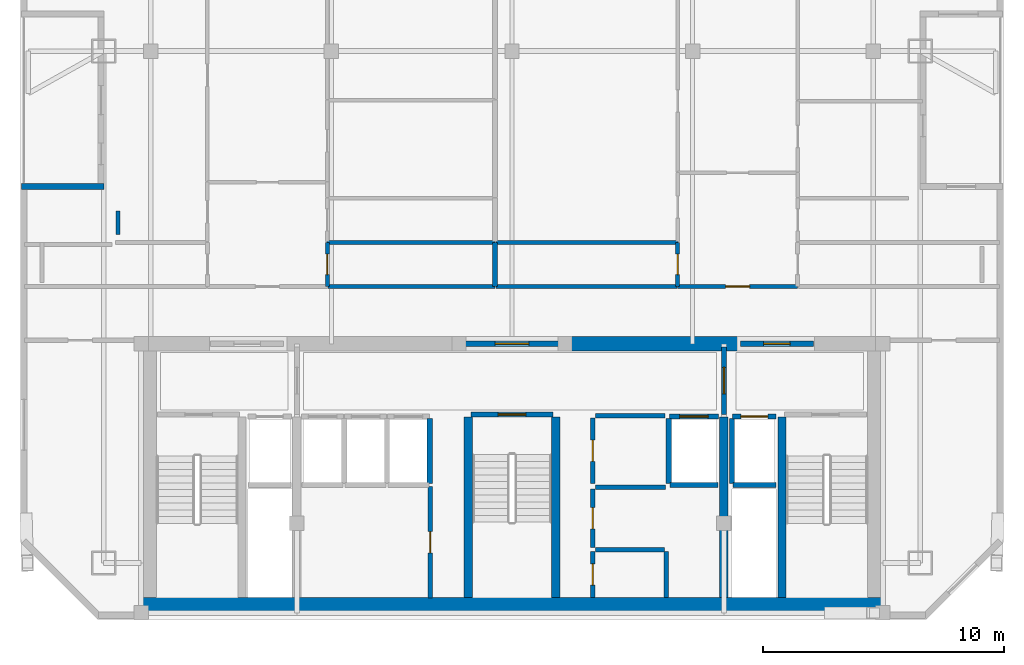
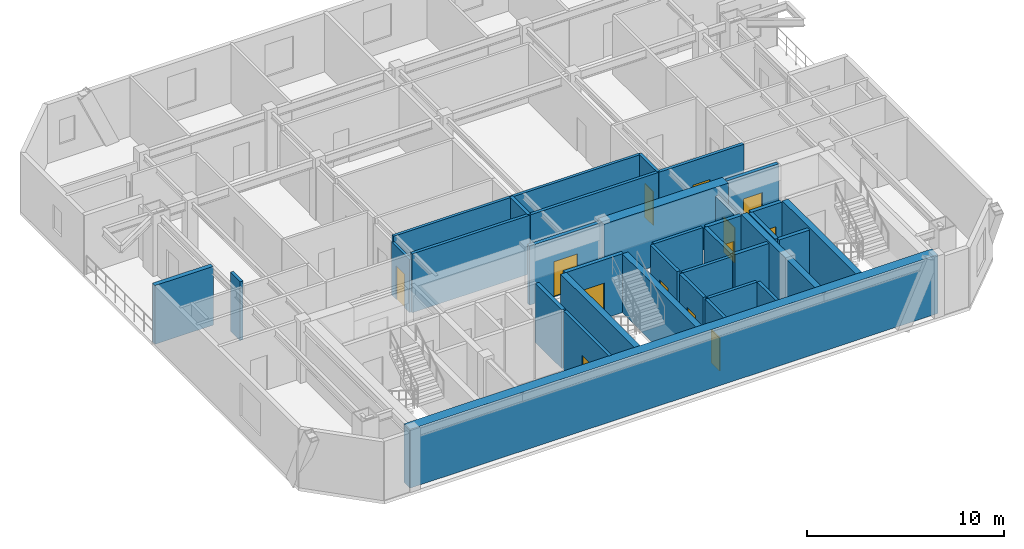
# One storey, part 3 of 7: 35 walls, 13 doors, 13 openings.
"""IFC4 building model written with IfcOpenShell, lengths in metres."""

from ifc_helpers import new_model, si_unit, direction, frame, frame_2d, origin, place, context, subcontext, project, spatial, rectangle, extrude, material, layer, layer_set, type_object, element, fill, save


model = new_model("IFC4")

# Units and contexts
model_context = context("Model", 3, precision=1e-05, world=origin(), true_north=direction((0.0, 1.0)))
body_context = subcontext(model_context, "Body", "Model", "MODEL_VIEW")
ifc_project = project(units=[si_unit("LENGTHUNIT", "METRE"), si_unit("AREAUNIT", "SQUARE_METRE"), si_unit("VOLUMEUNIT", "CUBIC_METRE"), si_unit("PLANEANGLEUNIT", "RADIAN"), si_unit("MASSUNIT", "GRAM", prefix="KILO")], contexts=[model_context])

# Site, building, storey
site_placement = place(None, origin())
site = spatial("IfcSite", under=ifc_project, at=site_placement, CompositionType="ELEMENT")
building_placement = place(site_placement, origin())
building = spatial("IfcBuilding", under=site, at=building_placement, Name="Ventersveld Concourse Tower", CompositionType="ELEMENT")
storey_placement = place(building_placement, frame((0.0, 0.0, 281.050048828125)))
storey = spatial("IfcBuildingStorey", under=building, at=storey_placement, Name="L69", CompositionType="ELEMENT", Elevation=281.050048828125)

# Walls
ifc_material_1 = material(Name="Concrete C50/60", Category="concrete")
ifc_layer_1 = layer(ifc_material_1, 0.35009765625)
ifc_layer_set_1 = layer_set([ifc_layer_1], Name="Concrete C50/60")
wall_type_1 = type_object("IfcWallType", Name="WL-CORE-350U", PredefinedType="SHEAR", material=ifc_layer_set_1)
for number, where, z_axis, x_axis, name in (
    (1, (26.93994140625, 0.919921875, 0.0), (0.0, 0.0, 1.0), (0.0, 1.0, 0.0), "L69 Core Internal Shear Web W-ST3-W"),
    (2, (30.56005859375, 0.919921875, 0.0), (0.0, 0.0, 1.0), (0.0, 1.0, 0.0), "L69 Core Internal Shear Web W-ST3-E"),
    (3, (37.550048828125, 0.919921875, 0.0), (0.0, 0.0, 1.0), (0.0, 1.0, 0.0), "L69 Core Internal Shear Web W-SVL-W"),
    (4, (39.9599609375, 0.919921875, 0.0), (0.0, 0.0, 1.0), (0.0, 1.0, 0.0), "L69 Core Internal Shear Web W-ST2-W"),
):
    element("IfcWall", number, at=place(storey_placement, frame(where, z_axis=z_axis, x_axis=x_axis)), inside=storey, type_object=wall_type_1, Name=name, PredefinedType="SHEAR", context=body_context, shape_type="SweptSolid", body=[
        extrude(rectangle(XDim=7.5, YDim=0.35009765625, at=frame_2d((3.75, 0.0))), origin(), (0.0, 0.0, 1.0), 3.64990234375),
    ])
ifc_layer_2 = layer(ifc_material_1, 0.60009765625)
ifc_layer_set_2 = layer_set([ifc_layer_2], Name="Concrete C50/60")
wall_type_2 = type_object("IfcWallType", Name="WL-CORE-600", PredefinedType="SHEAR", material=ifc_layer_set_2)
wall_1_placement = place(storey_placement, frame((13.25, 0.6201171875, 0.0), z_axis=(0.0, 0.0, 1.0), x_axis=(1.0, 0.0, 0.0)))
element("IfcWall", 5, at=wall_1_placement, inside=storey, type_object=wall_type_2, Name="L69 Rear Core South Shear Wall", PredefinedType="SHEAR", context=body_context, shape_type="SweptSolid", body=[
    extrude(rectangle(XDim=31.0, YDim=0.60009765625, at=frame_2d((15.5, 0.0))), origin(), (0.0, 0.0, 1.0), 3.64990234375),
])
wall_2_placement = place(storey_placement, frame((30.89990234375, 11.449951171875, 0.0), z_axis=(0.0, 0.0, 1.0), x_axis=(1.0, 0.0, 0.0)))
element("IfcWall", 6, at=wall_2_placement, inside=storey, type_object=wall_type_2, Name="L69 Rear Core North Shear Wall NMR", PredefinedType="SHEAR", context=body_context, shape_type="SweptSolid", body=[
    extrude(rectangle(XDim=7.300048828125, YDim=0.60009765625, at=frame_2d((3.64990234375, 0.0))), origin(), (0.0, 0.0, 1.0), 3.64990234375),
])

# Wall, opening, door
ifc_material_2 = material(Name="Fire-rated autoclaved aerated masonry blockwork", Category="masonry")
ifc_layer_3 = layer(ifc_material_2, 0.179931640625)
ifc_layer_set_3 = layer_set([ifc_layer_3], Name="Fire-rated autoclaved aerated masonry blockwork")
wall_type_3 = type_object("IfcWallType", Name="WL-CORR-180", PredefinedType="PARTITIONING", material=ifc_layer_set_3)
wall_3_placement = place(storey_placement, frame((25.35009765625, 0.89990234375, 0.0), z_axis=(0.0, 0.0, 1.0), x_axis=(0.0, 1.0, 0.0)))
wall_3 = element("IfcWall", 7, at=wall_3_placement, inside=storey, type_object=wall_type_3, Name="L69 Core Passage Wall SP-L69-RECB1A", PredefinedType="PARTITIONING", context=body_context, shape_type="SweptSolid", body=[
    extrude(rectangle(XDim=4.6201171875, YDim=0.179931640625, at=frame_2d((2.31005859375, 0.0))), origin(), (0.0, 0.0, 1.0), 3.64990234375),
])
opening_1_placement = place(wall_3_placement, frame((1.8701171875, 0.0, 0.0)))
opening_1 = element("IfcOpeningElement", 8, at=opening_1_placement, cuts=wall_3, Name="Opening FD5", PredefinedType="OPENING", context=body_context, shape_type="SweptSolid", body=[
    extrude(rectangle(XDim=0.8798828125, YDim=2.050048828125, at=frame_2d((0.43994140625, 1.02490234375))), frame((0.0, 0.10009765625, 0.0), z_axis=(0.0, -1.0, 0.0), x_axis=(1.0, 0.0, 0.0)), (0.0, 0.0, 1.0), 0.199951171875),
])
ifc_material_3 = material(Name="Galvanised painted steel", Category="steel")
door_type_1 = type_object("IfcDoorType", Name="DR-RISER-088", OperationType="NOTDEFINED", PredefinedType="DOOR", material=ifc_material_3)
door_1_placement = place(opening_1_placement, origin())
door_1 = element("IfcDoor", 9, at=door_1_placement, inside=storey, type_object=door_type_1, Name="L69 Core Room Door L69 Reclaimed Core Meeting Pod (CD-L69-3220)", OperationType="SINGLE_SWING_LEFT", OverallHeight=2.050048828125, OverallWidth=0.8798828125, PredefinedType="DOOR", context=body_context, shape_type="SweptSolid", body=[
    extrude(rectangle(XDim=0.8798828125, YDim=2.050048828125, at=frame_2d((0.43994140625, 1.02490234375))), frame((0.0, 0.02490234375, 0.0), z_axis=(0.0, -1.0, 0.0), x_axis=(1.0, 0.0, 0.0)), (0.0, 0.0, 1.0), 0.050048828125),
])
fill(opening_1, door_1)

wall_4_placement = place(storey_placement, frame((32.10009765625, 0.919921875, 0.0), z_axis=(0.0, 0.0, 1.0), x_axis=(0.0, 1.0, 0.0)))
wall_4 = element("IfcWall", 10, at=wall_4_placement, inside=storey, type_object=wall_type_3, Name="L69 Core Passage Wall SP-L69-RECB2S", PredefinedType="PARTITIONING", context=body_context, shape_type="SweptSolid", body=[
    extrude(rectangle(XDim=1.900146484375, YDim=0.179931640625, at=frame_2d((0.9501953125, 0.0))), origin(), (0.0, 0.0, 1.0), 3.64990234375),
])
opening_2_placement = place(wall_4_placement, frame((0.510009765625, 0.0, 0.0)))
opening_2 = element("IfcOpeningElement", 11, at=opening_2_placement, cuts=wall_4, Name="Opening FD5", PredefinedType="OPENING", context=body_context, shape_type="SweptSolid", body=[
    extrude(rectangle(XDim=0.8798828125, YDim=2.050048828125, at=frame_2d((0.43994140625, 1.02490234375))), frame((0.0, 0.10009765625, 0.0), z_axis=(0.0, -1.0, 0.0), x_axis=(1.0, 0.0, 0.0)), (0.0, 0.0, 1.0), 0.199951171875),
])
door_2_placement = place(opening_2_placement, origin())
door_2 = element("IfcDoor", 12, at=door_2_placement, inside=storey, type_object=door_type_1, Name="L69 Core Room Door L69 Reclaimed Core Archive Store (CD-L69-3221)", OperationType="SINGLE_SWING_RIGHT", OverallHeight=2.050048828125, OverallWidth=0.8798828125, PredefinedType="DOOR", context=body_context, shape_type="SweptSolid", body=[
    extrude(rectangle(XDim=0.8798828125, YDim=2.050048828125, at=frame_2d((0.43994140625, 1.02490234375))), frame((0.0, 0.02490234375, 0.0), z_axis=(0.0, -1.0, 0.0), x_axis=(1.0, 0.0, 0.0)), (0.0, 0.0, 1.0), 0.050048828125),
])
fill(opening_2, door_2)

# Walls
wall_5_placement = place(storey_placement, frame((32.219970703125, 2.89990234375, 0.0), z_axis=(0.0, 0.0, 1.0), x_axis=(1.0, 0.0, 0.0)))
element("IfcWall", 13, at=wall_5_placement, inside=storey, type_object=wall_type_3, Name="L69 Core Top Wall SP-L69-RECB2S", PredefinedType="PARTITIONING", context=body_context, shape_type="SweptSolid", body=[
    extrude(rectangle(XDim=2.860107421875, YDim=0.179931640625, at=frame_2d((1.43017578125, 0.0))), origin(), (0.0, 0.0, 1.0), 3.64990234375),
])
wall_6_placement = place(storey_placement, frame((35.159912109375, 0.919921875, 0.0), z_axis=(0.0, 0.0, 1.0), x_axis=(0.0, 1.0, 0.0)))
element("IfcWall", 14, at=wall_6_placement, inside=storey, type_object=wall_type_3, Name="L69 Core East Wall SP-L69-RECB2S", PredefinedType="PARTITIONING", context=body_context, shape_type="SweptSolid", body=[
    extrude(rectangle(XDim=1.900146484375, YDim=0.179931640625, at=frame_2d((0.9501953125, 0.0))), origin(), (0.0, 0.0, 1.0), 3.64990234375),
])

# Wall, opening, door
wall_7_placement = place(storey_placement, frame((32.10009765625, 3.0, 0.0), z_axis=(0.0, 0.0, 1.0), x_axis=(0.0, 1.0, 0.0)))
wall_7 = element("IfcWall", 15, at=wall_7_placement, inside=storey, type_object=wall_type_3, Name="L69 Core Passage Wall SP-L69-RECB2N", PredefinedType="PARTITIONING", context=body_context, shape_type="SweptSolid", body=[
    extrude(rectangle(XDim=2.419921875, YDim=0.179931640625, at=frame_2d((1.2099609375, 0.0))), origin(), (0.0, 0.0, 1.0), 3.64990234375),
])
opening_3_placement = place(wall_7_placement, frame((0.77001953125, 0.0, 0.0)))
opening_3 = element("IfcOpeningElement", 16, at=opening_3_placement, cuts=wall_7, Name="Opening FD5", PredefinedType="OPENING", context=body_context, shape_type="SweptSolid", body=[
    extrude(rectangle(XDim=0.8798828125, YDim=2.050048828125, at=frame_2d((0.43994140625, 1.02490234375))), frame((0.0, 0.10009765625, 0.0), z_axis=(0.0, -1.0, 0.0), x_axis=(1.0, 0.0, 0.0)), (0.0, 0.0, 1.0), 0.199951171875),
])
door_3_placement = place(opening_3_placement, origin())
door_3 = element("IfcDoor", 17, at=door_3_placement, inside=storey, type_object=door_type_1, Name="L69 Core Room Door L69 Reclaimed Core Housekeeping Room (CD-L69-3222)", OperationType="SINGLE_SWING_LEFT", OverallHeight=2.050048828125, OverallWidth=0.8798828125, PredefinedType="DOOR", context=body_context, shape_type="SweptSolid", body=[
    extrude(rectangle(XDim=0.8798828125, YDim=2.050048828125, at=frame_2d((0.43994140625, 1.02490234375))), frame((0.0, 0.02490234375, 0.0), z_axis=(0.0, -1.0, 0.0), x_axis=(1.0, 0.0, 0.0)), (0.0, 0.0, 1.0), 0.050048828125),
])
fill(opening_3, door_3)

# Wall
wall_8_placement = place(storey_placement, frame((32.219970703125, 5.5, 0.0), z_axis=(0.0, 0.0, 1.0), x_axis=(1.0, 0.0, 0.0)))
element("IfcWall", 18, at=wall_8_placement, inside=storey, type_object=wall_type_3, Name="L69 Core Top Wall SP-L69-RECB2N", PredefinedType="PARTITIONING", context=body_context, shape_type="SweptSolid", body=[
    extrude(rectangle(XDim=2.900146484375, YDim=0.179931640625, at=frame_2d((1.4501953125, 0.0))), origin(), (0.0, 0.0, 1.0), 3.64990234375),
])

# Wall, opening, door
wall_9_placement = place(storey_placement, frame((32.10009765625, 5.64990234375, 0.0), z_axis=(0.0, 0.0, 1.0), x_axis=(0.0, 1.0, 0.0)))
wall_9 = element("IfcWall", 19, at=wall_9_placement, inside=storey, type_object=wall_type_3, Name="L69 Core Passage Wall SP-L69-CBAY1", PredefinedType="PARTITIONING", context=body_context, shape_type="SweptSolid", body=[
    extrude(rectangle(XDim=2.72998046875, YDim=0.179931640625, at=frame_2d((1.364990234375, 0.0))), origin(), (0.0, 0.0, 1.0), 3.64990234375),
])
opening_4_placement = place(wall_9_placement, frame((0.925048828125, 0.0, 0.0)))
opening_4 = element("IfcOpeningElement", 20, at=opening_4_placement, cuts=wall_9, Name="Opening FD5", PredefinedType="OPENING", context=body_context, shape_type="SweptSolid", body=[
    extrude(rectangle(XDim=0.8798828125, YDim=2.050048828125, at=frame_2d((0.43994140625, 1.02490234375))), frame((0.0, 0.10009765625, 0.0), z_axis=(0.0, -1.0, 0.0), x_axis=(1.0, 0.0, 0.0)), (0.0, 0.0, 1.0), 0.199951171875),
])
door_4_placement = place(opening_4_placement, origin())
door_4 = element("IfcDoor", 21, at=door_4_placement, inside=storey, type_object=door_type_1, Name="L69 Core Room Door L69 Core Parcel Store (CD-L69-3223)", OperationType="SINGLE_SWING_RIGHT", OverallHeight=2.050048828125, OverallWidth=0.8798828125, PredefinedType="DOOR", context=body_context, shape_type="SweptSolid", body=[
    extrude(rectangle(XDim=0.8798828125, YDim=2.050048828125, at=frame_2d((0.43994140625, 1.02490234375))), frame((0.0, 0.02490234375, 0.0), z_axis=(0.0, -1.0, 0.0), x_axis=(1.0, 0.0, 0.0)), (0.0, 0.0, 1.0), 0.050048828125),
])
fill(opening_4, door_4)

# Walls
wall_10_placement = place(storey_placement, frame((32.219970703125, 8.4599609375, 0.0), z_axis=(0.0, 0.0, 1.0), x_axis=(1.0, 0.0, 0.0)))
element("IfcWall", 22, at=wall_10_placement, inside=storey, type_object=wall_type_3, Name="L69 Core Top Wall SP-L69-CBAY1", PredefinedType="PARTITIONING", context=body_context, shape_type="SweptSolid", body=[
    extrude(rectangle(XDim=2.880126953125, YDim=0.179931640625, at=frame_2d((1.43994140625, 0.0))), origin(), (0.0, 0.0, 1.0), 3.64990234375),
])
wall_11_placement = place(storey_placement, frame((21.119384765625, 13.830078125, 0.0), z_axis=(0.0, 0.0, 1.0), x_axis=(1.0, 0.0, 0.0)))
element("IfcWall", 23, at=wall_11_placement, inside=storey, type_object=wall_type_3, Name="L69 Interior Partition SP-L69-COR-SP-L69-69N1-PWDR1", PredefinedType="PARTITIONING", context=body_context, shape_type="SweptSolid", body=[
    extrude(rectangle(XDim=6.930908203125, YDim=0.179931640625, at=frame_2d((3.46533203125, 0.0))), origin(), (0.0, 0.0, 1.0), 3.64990234375),
])

# Wall, opening, door
wall_12_placement = place(storey_placement, frame((35.622314453125, 13.830078125, 0.0), z_axis=(0.0, 0.0, 1.0), x_axis=(1.0, 0.0, 0.0)))
wall_12 = element("IfcWall", 24, at=wall_12_placement, inside=storey, type_object=wall_type_3, Name="L69 Interior Partition SP-L69-COR-SP-L69-69N2-FOY", PredefinedType="PARTITIONING", context=body_context, shape_type="SweptSolid", body=[
    extrude(rectangle(XDim=4.989990234375, YDim=0.179931640625, at=frame_2d((2.4951171875, 0.0))), origin(), (0.0, 0.0, 1.0), 3.64990234375),
])
opening_5_placement = place(wall_12_placement, frame((1.9951171875, 0.0, 0.0)))
opening_5 = element("IfcOpeningElement", 25, at=opening_5_placement, cuts=wall_12, Name="Opening FD3", PredefinedType="OPENING", context=body_context, shape_type="SweptSolid", body=[
    extrude(rectangle(XDim=1.0, YDim=2.14990234375, at=frame_2d((0.5, 1.074951171875))), frame((0.0, 0.10009765625, 0.0), z_axis=(0.0, -1.0, 0.0), x_axis=(1.0, 0.0, 0.0)), (0.0, 0.0, 1.0), 0.199951171875),
])
ifc_material_4 = material(Name="Solid-core hardwood veneer timber", Category="wood")
door_type_2 = type_object("IfcDoorType", Name="DR-FLAT-100", OperationType="NOTDEFINED", PredefinedType="DOOR", material=ifc_material_4)
door_5_placement = place(opening_5_placement, origin())
door_5 = element("IfcDoor", 26, at=door_5_placement, inside=storey, type_object=door_type_2, Name="L69 Interior Door SP-L69-COR to SP-L69-69N2-FOY (FD-L69-3227)", OperationType="SINGLE_SWING_LEFT", OverallHeight=2.14990234375, OverallWidth=1.0, PredefinedType="DOOR", context=body_context, shape_type="SweptSolid", body=[
    extrude(rectangle(XDim=1.0, YDim=2.14990234375, at=frame_2d((0.5, 1.074951171875))), frame((0.0, 0.02490234375, 0.0), z_axis=(0.0, -1.0, 0.0), x_axis=(1.0, 0.0, 0.0)), (0.0, 0.0, 1.0), 0.050048828125),
])
fill(opening_5, door_5)

# Walls
wall_13_placement = place(storey_placement, frame((28.080322265625, 13.830078125, 0.0), z_axis=(0.0, 0.0, 1.0), x_axis=(1.0, 0.0, 0.0)))
element("IfcWall", 27, at=wall_13_placement, inside=storey, type_object=wall_type_3, Name="L69 Interior Partition SP-L69-COR-SP-L69-69N2-BATH", PredefinedType="PARTITIONING", context=body_context, shape_type="SweptSolid", body=[
    extrude(rectangle(XDim=7.511962890625, YDim=0.179931640625, at=frame_2d((3.755859375, 0.0))), origin(), (0.0, 0.0, 1.0), 3.64990234375),
])
wall_14_placement = place(storey_placement, frame((12.39306640625, 15.985107421875, 0.0), z_axis=(0.0, 0.0, 1.0), x_axis=(0.0, 1.0, 0.0)))
element("IfcWall", 28, at=wall_14_placement, inside=storey, type_object=wall_type_3, Name="L69 Room Enclosure Wall SP-L69-69N1-SEML0", PredefinedType="PARTITIONING", context=body_context, shape_type="SweptSolid", body=[
    extrude(rectangle(XDim=0.989501953125, YDim=0.179931640625, at=frame_2d((0.49462890625, 0.0))), origin(), (0.0, 0.0, 1.0), 3.64990234375),
])
ifc_layer_4 = layer(ifc_material_2, 0.199951171875)
ifc_layer_set_4 = layer_set([ifc_layer_4], Name="Fire-rated autoclaved aerated masonry blockwork")
wall_type_4 = type_object("IfcWallType", Name="WL-DEMISE-200", PredefinedType="PARTITIONING", material=ifc_layer_set_4)
wall_15_placement = place(storey_placement, frame((28.04541015625, 13.824951171875, 0.0), z_axis=(0.0, 0.0, 1.0), x_axis=(0.0, 1.0, 0.0)))
element("IfcWall", 29, at=wall_15_placement, inside=storey, type_object=wall_type_4, Name="L69 Interior Partition SP-L69-69N1-PWDR1-SP-L69-69N2-BATH", PredefinedType="PARTITIONING", context=body_context, shape_type="SweptSolid", body=[
    extrude(rectangle(XDim=1.840087890625, YDim=0.199951171875, at=frame_2d((0.919921875, 0.0))), origin(), (0.0, 0.0, 1.0), 3.64990234375),
])
ifc_layer_5 = layer(ifc_material_2, 0.219970703125)
ifc_layer_set_5 = layer_set([ifc_layer_5], Name="Fire-rated autoclaved aerated masonry blockwork")
wall_type_5 = type_object("IfcWallType", Name="WL-HOIST-220", PredefinedType="SOLIDWALL", material=ifc_layer_set_5)
wall_16_placement = place(storey_placement, frame((37.919921875, 5.590087890625, 0.0), z_axis=(0.0, 0.0, 1.0), x_axis=(1.0, 0.0, 0.0)))
element("IfcWall", 30, at=wall_16_placement, inside=storey, type_object=wall_type_5, Name="L69 Lift Hoistway Back Wall FFL-02", PredefinedType="SOLIDWALL", context=body_context, shape_type="SweptSolid", body=[
    extrude(rectangle(XDim=1.780029296875, YDim=0.219970703125, at=frame_2d((0.89013671875, 0.0))), origin(), (0.0, 0.0, 1.0), 3.64990234375),
])
wall_17_placement = place(storey_placement, frame((37.8798828125, 5.64990234375, 0.0), z_axis=(0.0, 0.0, 1.0), x_axis=(0.0, 1.0, 0.0)))
element("IfcWall", 31, at=wall_17_placement, inside=storey, type_object=wall_type_5, Name="L69 Lift Hoistway Side Wall FFL-02W", PredefinedType="SOLIDWALL", context=body_context, shape_type="SweptSolid", body=[
    extrude(rectangle(XDim=2.7001953125, YDim=0.219970703125, at=frame_2d((1.35009765625, 0.0))), origin(), (0.0, 0.0, 1.0), 3.64990234375),
])

# Wall, opening, door
wall_18_placement = place(storey_placement, frame((37.89990234375, 8.429931640625, 0.0), z_axis=(0.0, 0.0, 1.0), x_axis=(1.0, 0.0, 0.0)))
wall_18 = element("IfcWall", 32, at=wall_18_placement, inside=storey, type_object=wall_type_5, Name="L69 Lift Hoistway Front Wall FFL-02", PredefinedType="SOLIDWALL", context=body_context, shape_type="SweptSolid", body=[
    extrude(rectangle(XDim=1.820068359375, YDim=0.219970703125, at=frame_2d((0.91015625, 0.0))), origin(), (0.0, 0.0, 1.0), 3.64990234375),
])
opening_6_placement = place(wall_18_placement, frame((0.35009765625, 0.0, 0.0)))
opening_6 = element("IfcOpeningElement", 33, at=opening_6_placement, cuts=wall_18, Name="Opening LD1", PredefinedType="OPENING", context=body_context, shape_type="SweptSolid", body=[
    extrude(rectangle(XDim=1.1201171875, YDim=2.25, at=frame_2d((0.56005859375, 1.125))), frame((0.0, 0.1201171875, 0.0), z_axis=(0.0, -1.0, 0.0), x_axis=(1.0, 0.0, 0.0)), (0.0, 0.0, 1.0), 0.239990234375),
])
ifc_material_5 = material(Name="Brushed stainless steel 316", Category="steel")
door_type_3 = type_object("IfcDoorType", Name="LD-FF-112", OperationType="SLIDING_TO_LEFT", PredefinedType="DOOR", material=ifc_material_5)
door_6_placement = place(opening_6_placement, origin())
door_6 = element("IfcDoor", 34, at=door_6_placement, inside=storey, type_object=door_type_3, Name="L69 Lift landing door FFL-02 (LD-L69-FFL-02)", OperationType="SLIDING_TO_LEFT", OverallHeight=2.25, OverallWidth=1.1201171875, PredefinedType="DOOR", context=body_context, shape_type="SweptSolid", body=[
    extrude(rectangle(XDim=1.1201171875, YDim=2.25, at=frame_2d((0.56005859375, 1.125))), frame((0.0, 0.02490234375, 0.0), z_axis=(0.0, -1.0, 0.0), x_axis=(1.0, 0.0, 0.0)), (0.0, 0.0, 1.0), 0.050048828125),
])
fill(opening_6, door_6)

# Walls
wall_19_placement = place(storey_placement, frame((35.300048828125, 5.590087890625, 0.0), z_axis=(0.0, 0.0, 1.0), x_axis=(1.0, 0.0, 0.0)))
element("IfcWall", 35, at=wall_19_placement, inside=storey, type_object=wall_type_5, Name="L69 Lift Hoistway Back Wall SVL-01", PredefinedType="SOLIDWALL", context=body_context, shape_type="SweptSolid", body=[
    extrude(rectangle(XDim=2.0, YDim=0.219970703125, at=frame_2d((1.0, 0.0))), origin(), (0.0, 0.0, 1.0), 3.64990234375),
])
wall_20_placement = place(storey_placement, frame((35.260009765625, 5.64990234375, 0.0), z_axis=(0.0, 0.0, 1.0), x_axis=(0.0, 1.0, 0.0)))
element("IfcWall", 36, at=wall_20_placement, inside=storey, type_object=wall_type_5, Name="L69 Lift Hoistway Side Wall SVL-01W", PredefinedType="SOLIDWALL", context=body_context, shape_type="SweptSolid", body=[
    extrude(rectangle(XDim=2.7001953125, YDim=0.219970703125, at=frame_2d((1.35009765625, 0.0))), origin(), (0.0, 0.0, 1.0), 3.64990234375),
])

# Wall, opening, door
wall_21_placement = place(storey_placement, frame((35.280029296875, 8.429931640625, 0.0), z_axis=(0.0, 0.0, 1.0), x_axis=(1.0, 0.0, 0.0)))
wall_21 = element("IfcWall", 37, at=wall_21_placement, inside=storey, type_object=wall_type_5, Name="L69 Lift Hoistway Front Wall SVL-01", PredefinedType="SOLIDWALL", context=body_context, shape_type="SweptSolid", body=[
    extrude(rectangle(XDim=2.0400390625, YDim=0.219970703125, at=frame_2d((1.02001953125, 0.0))), origin(), (0.0, 0.0, 1.0), 3.64990234375),
])
opening_7_placement = place(wall_21_placement, frame((0.429931640625, 0.0, 0.0)))
opening_7 = element("IfcOpeningElement", 38, at=opening_7_placement, cuts=wall_21, Name="Opening LD2", PredefinedType="OPENING", context=body_context, shape_type="SweptSolid", body=[
    extrude(rectangle(XDim=1.179931640625, YDim=2.199951171875, at=frame_2d((0.58984375, 1.10009765625))), frame((0.0, 0.1201171875, 0.0), z_axis=(0.0, -1.0, 0.0), x_axis=(1.0, 0.0, 0.0)), (0.0, 0.0, 1.0), 0.239990234375),
])
door_type_4 = type_object("IfcDoorType", Name="LD-PAX-118", OperationType="SLIDING_TO_LEFT", PredefinedType="DOOR", material=ifc_material_5)
door_7_placement = place(opening_7_placement, origin())
door_7 = element("IfcDoor", 39, at=door_7_placement, inside=storey, type_object=door_type_4, Name="L69 Lift landing door SVL-01 (LD-L69-SVL-01)", OperationType="SLIDING_TO_RIGHT", OverallHeight=2.199951171875, OverallWidth=1.179931640625, PredefinedType="DOOR", context=body_context, shape_type="SweptSolid", body=[
    extrude(rectangle(XDim=1.179931640625, YDim=2.199951171875, at=frame_2d((0.58984375, 1.10009765625))), frame((0.0, 0.02490234375, 0.0), z_axis=(0.0, -1.0, 0.0), x_axis=(1.0, 0.0, 0.0)), (0.0, 0.0, 1.0), 0.050048828125),
])
fill(opening_7, door_7)

# Wall
wall_22_placement = place(storey_placement, frame((25.340087890625, 5.64990234375, 0.0), z_axis=(0.0, 0.0, 1.0), x_axis=(0.0, 1.0, 0.0)))
element("IfcWall", 40, at=wall_22_placement, inside=storey, type_object=wall_type_5, Name="L69 Lift Hoistway Side Wall PH-03E", PredefinedType="SOLIDWALL", context=body_context, shape_type="SweptSolid", body=[
    extrude(rectangle(XDim=2.7001953125, YDim=0.219970703125, at=frame_2d((1.35009765625, 0.0))), origin(), (0.0, 0.0, 1.0), 3.64990234375),
])

# Wall, opening, door
wall_23_placement = place(storey_placement, frame((27.0400390625, 8.52001953125, 0.0), z_axis=(0.0, 0.0, 1.0), x_axis=(1.0, 0.0, 0.0)))
wall_23 = element("IfcWall", 41, at=wall_23_placement, inside=storey, type_object=wall_type_5, Name="L69 Escape Stair ST03 Fire Wall", PredefinedType="SOLIDWALL", context=body_context, shape_type="SweptSolid", body=[
    extrude(rectangle(XDim=3.419921875, YDim=0.219970703125, at=frame_2d((1.7099609375, 0.0))), origin(), (0.0, 0.0, 1.0), 3.64990234375),
])
opening_8_placement = place(wall_23_placement, frame((1.135009765625, 0.0, 0.0)))
opening_8 = element("IfcOpeningElement", 42, at=opening_8_placement, cuts=wall_23, Name="Opening FD1", PredefinedType="OPENING", context=body_context, shape_type="SweptSolid", body=[
    extrude(rectangle(XDim=1.14990234375, YDim=2.199951171875, at=frame_2d((0.574951171875, 1.10009765625))), frame((0.0, 0.1201171875, 0.0), z_axis=(0.0, -1.0, 0.0), x_axis=(1.0, 0.0, 0.0)), (0.0, 0.0, 1.0), 0.239990234375),
])
door_type_5 = type_object("IfcDoorType", Name="DR-STAIR-115", OperationType="NOTDEFINED", PredefinedType="DOOR", material=ifc_material_3)
door_8_placement = place(opening_8_placement, origin())
door_8 = element("IfcDoor", 43, at=door_8_placement, inside=storey, type_object=door_type_5, Name="L69 Escape Stair Door ST03 (SD-L69-3214)", OperationType="SINGLE_SWING_LEFT", OverallHeight=2.199951171875, OverallWidth=1.14990234375, PredefinedType="DOOR", context=body_context, shape_type="SweptSolid", body=[
    extrude(rectangle(XDim=1.14990234375, YDim=2.199951171875, at=frame_2d((0.574951171875, 1.10009765625))), frame((0.0, 0.02490234375, 0.0), z_axis=(0.0, -1.0, 0.0), x_axis=(1.0, 0.0, 0.0)), (0.0, 0.0, 1.0), 0.050048828125),
])
fill(opening_8, door_8)

wall_24_placement = place(storey_placement, frame((37.550048828125, 8.52001953125, 0.0), z_axis=(0.0, 0.0, 1.0), x_axis=(0.0, 1.0, 0.0)))
wall_24 = element("IfcWall", 44, at=wall_24_placement, inside=storey, type_object=wall_type_5, Name="L69 Firefighting Lobby Smoke-Stop Wall FFLE-SEP", PredefinedType="SOLIDWALL", context=body_context, shape_type="SweptSolid", body=[
    extrude(rectangle(XDim=2.800048828125, YDim=0.219970703125, at=frame_2d((1.39990234375, 0.0))), origin(), (0.0, 0.0, 1.0), 3.10546875),
])
opening_9_placement = place(wall_24_placement, frame((0.85009765625, 0.0, 0.0)))
opening_9 = element("IfcOpeningElement", 45, at=opening_9_placement, cuts=wall_24, Name="Opening FD2", PredefinedType="OPENING", context=body_context, shape_type="SweptSolid", body=[
    extrude(rectangle(XDim=1.10009765625, YDim=2.199951171875, at=frame_2d((0.550048828125, 1.10009765625))), frame((0.0, 0.1201171875, 0.0), z_axis=(0.0, -1.0, 0.0), x_axis=(1.0, 0.0, 0.0)), (0.0, 0.0, 1.0), 0.239990234375),
])
door_type_6 = type_object("IfcDoorType", Name="DR-FFL-110", OperationType="NOTDEFINED", PredefinedType="DOOR", material=ifc_material_3)
door_9_placement = place(opening_9_placement, origin())
door_9 = element("IfcDoor", 46, at=door_9_placement, inside=storey, type_object=door_type_6, Name="L69 Firefighting Lobby Door FFLE-SEP (FD-L69-3216)", OperationType="SINGLE_SWING_RIGHT", OverallHeight=2.199951171875, OverallWidth=1.10009765625, PredefinedType="DOOR", context=body_context, shape_type="SweptSolid", body=[
    extrude(rectangle(XDim=1.10009765625, YDim=2.199951171875, at=frame_2d((0.550048828125, 1.10009765625))), frame((0.0, 0.02490234375, 0.0), z_axis=(0.0, -1.0, 0.0), x_axis=(1.0, 0.0, 0.0)), (0.0, 0.0, 1.0), 0.050048828125),
])
fill(opening_9, door_9)

wall_25_placement = place(storey_placement, frame((26.6298828125, 11.449951171875, 0.0), z_axis=(0.0, 0.0, 1.0), x_axis=(1.0, 0.0, 0.0)))
wall_25 = element("IfcWall", 47, at=wall_25_placement, inside=storey, type_object=wall_type_5, Name="L69 Core North Fire Portal PLOB-OUT", PredefinedType="SOLIDWALL", context=body_context, shape_type="SweptSolid", body=[
    extrude(rectangle(XDim=4.240234375, YDim=0.219970703125, at=frame_2d((2.1201171875, 0.0))), origin(), (0.0, 0.0, 1.0), 3.64990234375),
])
opening_10_placement = place(wall_25_placement, frame((1.419921875, 0.0, 0.0)))
opening_10 = element("IfcOpeningElement", 48, at=opening_10_placement, cuts=wall_25, Name="Opening FD4", PredefinedType="OPENING", context=body_context, shape_type="SweptSolid", body=[
    extrude(rectangle(XDim=1.39990234375, YDim=2.199951171875, at=frame_2d((0.699951171875, 1.10009765625))), frame((0.0, 0.1201171875, 0.0), z_axis=(0.0, -1.0, 0.0), x_axis=(1.0, 0.0, 0.0)), (0.0, 0.0, 1.0), 0.239990234375),
])
door_type_7 = type_object("IfcDoorType", Name="DR-PLANT-140", OperationType="DOUBLE_DOOR_SINGLE_SWING", PredefinedType="DOOR", material=ifc_material_3)
door_10_placement = place(opening_10_placement, origin())
door_10 = element("IfcDoor", 49, at=door_10_placement, inside=storey, type_object=door_type_7, Name="L69 Core Lobby Fire Door PLOB-OUT (FD-L69-3218)", OperationType="DOUBLE_DOOR_SINGLE_SWING", OverallHeight=2.199951171875, OverallWidth=1.39990234375, PredefinedType="DOOR", context=body_context, shape_type="SweptSolid", body=[
    extrude(rectangle(XDim=1.39990234375, YDim=2.199951171875, at=frame_2d((0.699951171875, 1.10009765625))), frame((0.0, 0.02490234375, 0.0), z_axis=(0.0, -1.0, 0.0), x_axis=(1.0, 0.0, 0.0)), (0.0, 0.0, 1.0), 0.050048828125),
])
fill(opening_10, door_10)

wall_26_placement = place(storey_placement, frame((38.22998046875, 11.449951171875, 0.0), z_axis=(0.0, 0.0, 1.0), x_axis=(1.0, 0.0, 0.0)))
wall_26 = element("IfcWall", 50, at=wall_26_placement, inside=storey, type_object=wall_type_5, Name="L69 Core North Fire Portal FFLE-OUT", PredefinedType="SOLIDWALL", context=body_context, shape_type="SweptSolid", body=[
    extrude(rectangle(XDim=3.0400390625, YDim=0.219970703125, at=frame_2d((1.52001953125, 0.0))), origin(), (0.0, 0.0, 1.0), 3.64990234375),
])
opening_11_placement = place(wall_26_placement, frame((0.969970703125, 0.0, 0.0)))
opening_11 = element("IfcOpeningElement", 51, at=opening_11_placement, cuts=wall_26, Name="Opening FD2", PredefinedType="OPENING", context=body_context, shape_type="SweptSolid", body=[
    extrude(rectangle(XDim=1.10009765625, YDim=2.199951171875, at=frame_2d((0.550048828125, 1.10009765625))), frame((0.0, 0.1201171875, 0.0), z_axis=(0.0, -1.0, 0.0), x_axis=(1.0, 0.0, 0.0)), (0.0, 0.0, 1.0), 0.239990234375),
])
door_11_placement = place(opening_11_placement, origin())
door_11 = element("IfcDoor", 52, at=door_11_placement, inside=storey, type_object=door_type_6, Name="L69 Core Lobby Fire Door FFLE-OUT (FD-L69-3219)", OperationType="SINGLE_SWING_LEFT", OverallHeight=2.199951171875, OverallWidth=1.10009765625, PredefinedType="DOOR", context=body_context, shape_type="SweptSolid", body=[
    extrude(rectangle(XDim=1.10009765625, YDim=2.199951171875, at=frame_2d((0.550048828125, 1.10009765625))), frame((0.0, 0.02490234375, 0.0), z_axis=(0.0, -1.0, 0.0), x_axis=(1.0, 0.0, 0.0)), (0.0, 0.0, 1.0), 0.050048828125),
])
fill(opening_11, door_11)

# Wall
ifc_material_6 = material(Name="Precast concrete C45/55", Category="concrete")
ifc_layer_6 = layer(ifc_material_6, 0.260009765625)
ifc_layer_set_6 = layer_set([ifc_layer_6], Name="Precast concrete C45/55")
wall_type_6 = type_object("IfcWallType", Name="WL-PREC-260", PredefinedType="SOLIDWALL", material=ifc_layer_set_6)
wall_27_placement = place(storey_placement, frame((11.81298828125, 17.986328125, 0.0), z_axis=(0.0, 0.0, 1.0), x_axis=(-1.0, 0.0, 0.0)))
element("IfcWall", 53, at=wall_27_placement, inside=storey, type_object=wall_type_6, Name="L69 Highveld Precast Facade Wall E14", PredefinedType="SOLIDWALL", context=body_context, shape_type="SweptSolid", body=[
    extrude(rectangle(XDim=3.419921875, YDim=0.260009765625, at=frame_2d((1.7099609375, 0.0))), origin(), (0.0, 0.0, 1.0), 3.64990234375),
])

# Wall, opening, door
ifc_material_7 = material(Name="Autoclaved aerated masonry blockwork", Category="masonry")
ifc_layer_7 = layer(ifc_material_7, 0.1650390625)
ifc_layer_set_7 = layer_set([ifc_layer_7], Name="Autoclaved aerated masonry blockwork")
wall_type_7 = type_object("IfcWallType", Name="WL-WET-165", PredefinedType="PLUMBINGWALL", material=ifc_layer_set_7)
wall_28_placement = place(storey_placement, frame((21.084228515625, 13.824951171875, 0.0), z_axis=(0.0, 0.0, 1.0), x_axis=(0.0, 1.0, 0.0)))
wall_28 = element("IfcWall", 54, at=wall_28_placement, inside=storey, type_object=wall_type_7, Name="L69 Interior Partition SP-L69-69N1-FOY-SP-L69-69N1-PWDR1", PredefinedType="PLUMBINGWALL", context=body_context, shape_type="SweptSolid", body=[
    extrude(rectangle(XDim=1.840087890625, YDim=0.1650390625, at=frame_2d((0.919921875, 0.0))), origin(), (0.0, 0.0, 1.0), 3.294921875),
])
opening_12_placement = place(wall_28_placement, frame((0.4951171875, 0.0, 0.0)))
opening_12 = element("IfcOpeningElement", 55, at=opening_12_placement, cuts=wall_28, Name="Opening ID2", PredefinedType="OPENING", context=body_context, shape_type="SweptSolid", body=[
    extrude(rectangle(XDim=0.85009765625, YDim=2.10009765625, at=frame_2d((0.425048828125, 1.050048828125))), frame((0.0, 0.092529296875, 0.0), z_axis=(0.0, -1.0, 0.0), x_axis=(1.0, 0.0, 0.0)), (0.0, 0.0, 1.0), 0.18505859375),
])
door_type_8 = type_object("IfcDoorType", Name="DR-BATH-085", OperationType="NOTDEFINED", PredefinedType="DOOR", material=ifc_material_4)
door_12_placement = place(opening_12_placement, origin())
door_12 = element("IfcDoor", 56, at=door_12_placement, inside=storey, type_object=door_type_8, Name="L69 Interior Door SP-L69-69N1-FOY to SP-L69-69N1-PWDR1 (D-L69-3231)", OperationType="SINGLE_SWING_LEFT", OverallHeight=2.10009765625, OverallWidth=0.85009765625, PredefinedType="DOOR", context=body_context, shape_type="SweptSolid", body=[
    extrude(rectangle(XDim=0.85009765625, YDim=2.10009765625, at=frame_2d((0.425048828125, 1.050048828125))), frame((0.0, 0.02490234375, 0.0), z_axis=(0.0, -1.0, 0.0), x_axis=(1.0, 0.0, 0.0)), (0.0, 0.0, 1.0), 0.050048828125),
])
fill(opening_12, door_12)

# Wall
wall_29_placement = place(storey_placement, frame((21.079345703125, 15.659912109375, 0.0), z_axis=(0.0, 0.0, 1.0), x_axis=(1.0, 0.0, 0.0)))
element("IfcWall", 57, at=wall_29_placement, inside=storey, type_object=wall_type_7, Name="L69 Interior Partition SP-L69-69N1-PWDR1-SP-L69-69N1-KIT", PredefinedType="PLUMBINGWALL", context=body_context, shape_type="SweptSolid", body=[
    extrude(rectangle(XDim=6.970947265625, YDim=0.1650390625, at=frame_2d((3.4853515625, 0.0))), origin(), (0.0, 0.0, 1.0), 3.64990234375),
])

# Wall, opening, door
wall_30_placement = place(storey_placement, frame((35.62744140625, 13.824951171875, 0.0), z_axis=(0.0, 0.0, 1.0), x_axis=(0.0, 1.0, 0.0)))
wall_30 = element("IfcWall", 58, at=wall_30_placement, inside=storey, type_object=wall_type_7, Name="L69 Interior Partition SP-L69-69N2-FOY-SP-L69-69N2-BATH", PredefinedType="PLUMBINGWALL", context=body_context, shape_type="SweptSolid", body=[
    extrude(rectangle(XDim=1.840087890625, YDim=0.1650390625, at=frame_2d((0.919921875, 0.0))), origin(), (0.0, 0.0, 1.0), 3.64990234375),
])
opening_13_placement = place(wall_30_placement, frame((0.4951171875, 0.0, 0.0)))
opening_13 = element("IfcOpeningElement", 59, at=opening_13_placement, cuts=wall_30, Name="Opening ID2", PredefinedType="OPENING", context=body_context, shape_type="SweptSolid", body=[
    extrude(rectangle(XDim=0.85009765625, YDim=2.10009765625, at=frame_2d((0.425048828125, 1.050048828125))), frame((0.0, 0.092529296875, 0.0), z_axis=(0.0, -1.0, 0.0), x_axis=(1.0, 0.0, 0.0)), (0.0, 0.0, 1.0), 0.18505859375),
])
door_13_placement = place(opening_13_placement, origin())
door_13 = element("IfcDoor", 60, at=door_13_placement, inside=storey, type_object=door_type_8, Name="L69 Interior Door SP-L69-69N2-FOY to SP-L69-69N2-BATH (D-L69-3240)", OperationType="SINGLE_SWING_RIGHT", OverallHeight=2.10009765625, OverallWidth=0.85009765625, PredefinedType="DOOR", context=body_context, shape_type="SweptSolid", body=[
    extrude(rectangle(XDim=0.85009765625, YDim=2.10009765625, at=frame_2d((0.425048828125, 1.050048828125))), frame((0.0, 0.02490234375, 0.0), z_axis=(0.0, -1.0, 0.0), x_axis=(1.0, 0.0, 0.0)), (0.0, 0.0, 1.0), 0.050048828125),
])
fill(opening_13, door_13)

# Wall
wall_31_placement = place(storey_placement, frame((28.080322265625, 15.659912109375, 0.0), z_axis=(0.0, 0.0, 1.0), x_axis=(1.0, 0.0, 0.0)))
element("IfcWall", 61, at=wall_31_placement, inside=storey, type_object=wall_type_7, Name="L69 Interior Partition SP-L69-69N2-BATH-SP-L69-69N2-SEML0", PredefinedType="PLUMBINGWALL", context=body_context, shape_type="SweptSolid", body=[
    extrude(rectangle(XDim=7.552001953125, YDim=0.1650390625, at=frame_2d((3.77587890625, 0.0))), origin(), (0.0, 0.0, 1.0), 3.64990234375),
])

save(model, "model.ifc")
